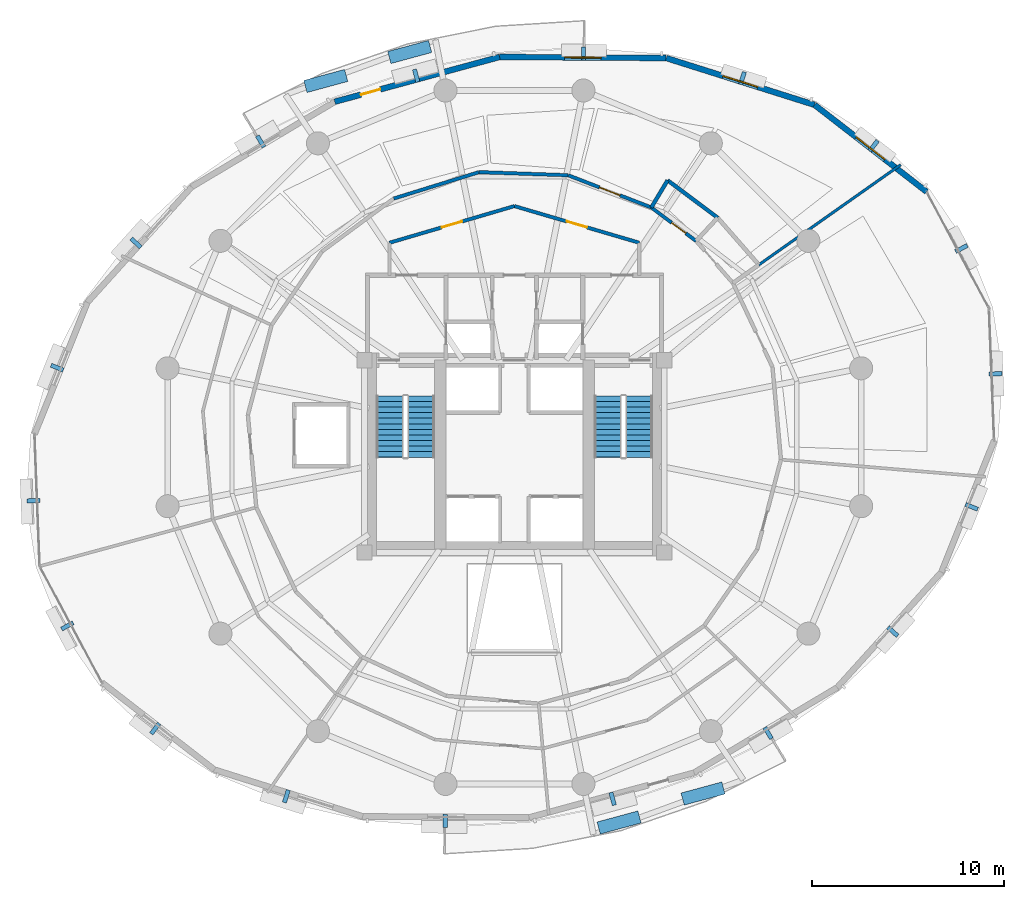
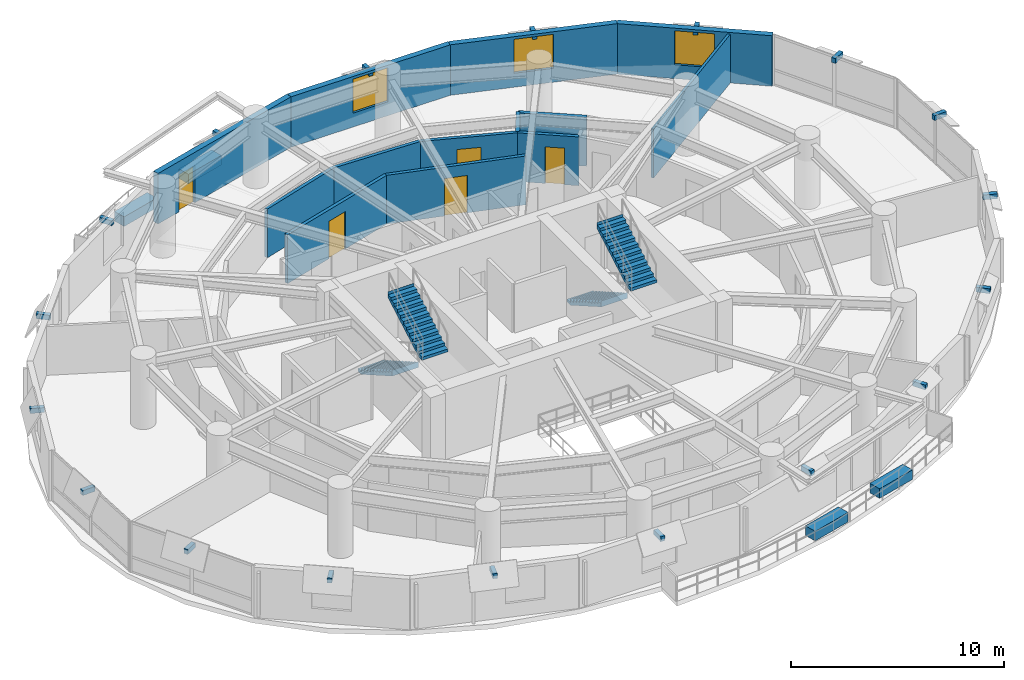
# One storey, part 12 of 15: 22 discrete accessories, 13 walls, 5 doors, 4 stair flights, 3 windows, 8 openings, 2 elements without a shape of their own.
"""IFC4 building model written with IfcOpenShell, lengths in metres."""

import ifcopenshell
import ifcopenshell.guid

model = None  # the IFC model being written
_history = None  # IfcOwnerHistory: only IFC2X3 demands one
_inside = {}  # id of a spatial element -> (the spatial element, [elements in it])
_under = {}  # id of a project, library or spatial element -> (it, [spatial elements below it])
_declared = {}  # id of a project -> (the project, [libraries it declares])
_typed = {}  # id of a type object -> (the type object, [elements of that type])
_made_of = {}  # id of a material, layer set ... -> (it, [elements and type objects made of it])


def new_model(schema):
    """Start an empty IFC model of exactly this schema.

    Asked for "IFC4X3", IfcOpenShell would pick the latest addendum, in which some entities
    have other attributes; the version numbers below select the first issue.
    IFC2X3 requires an IfcOwnerHistory on every rooted entity: one is made here for all.
    """
    global model, _history
    if schema == "IFC4X3":
        model = ifcopenshell.file(schema_version=(4, 3, 0, 0))
    else:
        model = ifcopenshell.file(schema=schema)
    _inside.clear()
    _under.clear()
    _declared.clear()
    _typed.clear()
    _made_of.clear()
    _history = None
    if model.schema == "IFC2X3":
        org = make("IfcOrganization", Name="unknown")
        user = make(
            "IfcPersonAndOrganization",
            ThePerson=make("IfcPerson", FamilyName="unknown"),
            TheOrganization=org,
        )
        app = make(
            "IfcApplication",
            ApplicationDeveloper=org,
            Version="unknown",
            ApplicationFullName="unknown",
            ApplicationIdentifier="unknown",
        )
        _history = make(
            "IfcOwnerHistory",
            OwningUser=user,
            OwningApplication=app,
            ChangeAction="ADDED",
            CreationDate=0,
        )
    return model


def make(cls, **values):
    """One entity of the class cls with the attributes given. An attribute that is None is left unset."""
    return model.create_entity(
        cls, **{name: value for name, value in values.items() if value is not None}
    )


def rooted(cls, **values):
    """An entity with a GlobalId (a new one), such as an element, a storey or a relation."""
    return make(cls, GlobalId=ifcopenshell.guid.new(), OwnerHistory=_history, **values)


def si_unit(unit_type, name, prefix=None):
    """IfcSIUnit, for example si_unit("LENGTHUNIT", "METRE", prefix="MILLI")."""
    return make("IfcSIUnit", UnitType=unit_type, Prefix=prefix, Name=name)


def assignment(units):
    """IfcUnitAssignment: the units of a project."""
    return None if units is None else make("IfcUnitAssignment", Units=units)


def point(xyz):
    """IfcCartesianPoint."""
    return None if xyz is None else make("IfcCartesianPoint", Coordinates=xyz)


def direction(xyz):
    """IfcDirection."""
    return None if xyz is None else make("IfcDirection", DirectionRatios=xyz)


def frame(location, z_axis=None, x_axis=None):
    """IfcAxis2Placement3D, a coordinate frame: its origin and axes. An axis left out is left unset."""
    return make(
        "IfcAxis2Placement3D",
        Location=point(location),
        Axis=direction(z_axis),
        RefDirection=direction(x_axis),
    )


def frame_2d(location, x_axis=None):
    """IfcAxis2Placement2D, a coordinate frame in the plane: its origin and x axis."""
    return make(
        "IfcAxis2Placement2D", Location=point(location), RefDirection=direction(x_axis)
    )


def origin():
    """The frame at (0, 0, 0) with its axes left unset."""
    return frame((0.0, 0.0, 0.0))


def origin_2d():
    """The frame at (0, 0) in the plane with its x axis left unset."""
    return frame_2d((0.0, 0.0))


def place(relative_to, where):
    """IfcLocalPlacement: puts the frame where relative to a parent placement (None: the world)."""
    return make(
        "IfcLocalPlacement", PlacementRelTo=relative_to, RelativePlacement=where
    )


def context(
    kind, dimensions, precision=None, world=None, true_north=None, identifier=None
):
    """IfcGeometricRepresentationContext, for example the 3D "Model" context."""
    return make(
        "IfcGeometricRepresentationContext",
        ContextIdentifier=identifier,
        ContextType=kind,
        CoordinateSpaceDimension=dimensions,
        Precision=precision,
        WorldCoordinateSystem=world,
        TrueNorth=true_north,
    )


def subcontext(parent, identifier, kind, view, scale=None):
    """IfcGeometricRepresentationSubContext, for example "Body" below "Model"."""
    return make(
        "IfcGeometricRepresentationSubContext",
        ContextIdentifier=identifier,
        ContextType=kind,
        ParentContext=parent,
        TargetScale=scale,
        TargetView=view,
    )


def project(units=None, contexts=None):
    """IfcProject with its units and contexts."""
    return rooted(
        "IfcProject",
        Name="project",
        RepresentationContexts=contexts,
        UnitsInContext=assignment(units),
    )


def spatial(cls, under=None, at=None, **own):
    """A site, building, storey or space (cls), placed at a placement, below another one or the project."""
    s = rooted(cls, ObjectPlacement=at, **own)
    if under is not None:
        _under.setdefault(under.id(), (under, []))[1].append(s)
    return s


def polyline(points):
    """IfcPolyline through the points."""
    return make("IfcPolyline", Points=[point(p) for p in points])


def profile(cls, at=None, kind="AREA", **sizes):
    """A parametric profile (cls). Its sizes go by their IFC names, for example OverallWidth=200.0."""
    return make(cls, ProfileType=kind, Position=at, **sizes)


def rectangle(**sizes):
    """IfcRectangleProfileDef."""
    return profile("IfcRectangleProfileDef", **sizes)


def outline(outer, holes=None, kind="AREA"):
    """IfcArbitraryClosedProfileDef: a profile drawn as a closed curve; with holes, ...WithVoids."""
    if holes is None:
        return make("IfcArbitraryClosedProfileDef", ProfileType=kind, OuterCurve=outer)
    return make(
        "IfcArbitraryProfileDefWithVoids",
        ProfileType=kind,
        OuterCurve=outer,
        InnerCurves=holes,
    )


def extrude(swept, where, along, depth):
    """IfcExtrudedAreaSolid: the profile swept, set in the frame where, extruded along a direction by depth."""
    return make(
        "IfcExtrudedAreaSolid",
        SweptArea=swept,
        Position=where,
        ExtrudedDirection=direction(along),
        Depth=depth,
    )


def shape(context_of_items, identifier, shape_type, items):
    """IfcShapeRepresentation: the items that make up one representation, for example the "Body"."""
    return make(
        "IfcShapeRepresentation",
        ContextOfItems=context_of_items,
        RepresentationIdentifier=identifier,
        RepresentationType=shape_type,
        Items=items,
    )


def material(Name=None, Category=None):
    """IfcMaterial."""
    return make("IfcMaterial", Name=Name, Category=Category)


def layer(
    of_material, thickness, ventilated=None, Name=None, Category=None, Priority=None
):
    """IfcMaterialLayer: one layer of a wall or slab, of a material (None: an air gap)."""
    return make(
        "IfcMaterialLayer",
        Material=of_material,
        LayerThickness=thickness,
        IsVentilated=ventilated,
        Name=Name,
        Category=Category,
        Priority=Priority,
    )


def layer_set(layers, Name=None):
    """IfcMaterialLayerSet."""
    return make("IfcMaterialLayerSet", MaterialLayers=layers, LayerSetName=Name)


def made_of(thing, what):
    """Note that an element or type object is made of a material, layer set ...; save() writes the relation."""
    if what is not None:
        _made_of.setdefault(what.id(), (what, []))[1].append(thing)
    return thing


def type_object(cls, material=None, **own):
    """A type object (cls), such as IfcWallType, which elements share."""
    return made_of(rooted(cls, **own), material)


def element(
    cls,
    number,
    at=None,
    inside=None,
    cuts=None,
    type_object=None,
    material=None,
    context=None,
    identifier="Body",
    shape_type=None,
    held_by="IfcProductDefinitionShape",
    body=None,
    shapes=None,
    **own,
):
    """One element of the class cls, such as IfcWall. Its Tag is "e" and its number.

    at: its placement. inside: the storey or other place that contains it. cuts: it is an
    opening in that element (IfcRelVoidsElement). A single representation is given by context,
    identifier, shape_type and body (its items); several are given by shapes. held_by: the class
    of the entity that holds the representations. save() writes the other relations.
    """
    e = rooted(cls, Tag="e%d" % number, ObjectPlacement=at, **own)
    if body is not None:
        shapes = [shape(context, identifier, shape_type, body)]
    if shapes is not None:
        e.Representation = make(held_by, Representations=shapes)
    if inside is not None:
        _inside.setdefault(inside.id(), (inside, []))[1].append(e)
    if cuts is not None:
        rooted(
            "IfcRelVoidsElement", RelatingBuildingElement=cuts, RelatedOpeningElement=e
        )
    if type_object is not None:
        _typed.setdefault(type_object.id(), (type_object, []))[1].append(e)
    return made_of(e, material)


def fill(opening, filler):
    """IfcRelFillsElement: the door or window that sits in an opening."""
    return rooted(
        "IfcRelFillsElement",
        RelatingOpeningElement=opening,
        RelatedBuildingElement=filler,
    )


def aggregate(whole, parts):
    """IfcRelAggregates: a whole, such as a stair, and the parts it consists of."""
    return rooted("IfcRelAggregates", RelatingObject=whole, RelatedObjects=parts)


def save(model, path):
    """Write the relations noted so far, then the file.

    IfcRelAggregates (storeys below a building ...), IfcRelContainedInSpatialStructure (elements
    in a storey), IfcRelDefinesByType, IfcRelAssociatesMaterial and IfcRelDeclares: one each for
    every whole, place, type object, material and project.
    """
    for whole, parts in _under.values():
        aggregate(whole, parts)
    for where, things in _inside.values():
        rooted(
            "IfcRelContainedInSpatialStructure",
            RelatedElements=things,
            RelatingStructure=where,
        )
    for kind, things in _typed.values():
        rooted("IfcRelDefinesByType", RelatedObjects=things, RelatingType=kind)
    for what, things in _made_of.values():
        rooted("IfcRelAssociatesMaterial", RelatedObjects=things, RelatingMaterial=what)
    for by, libraries in _declared.values():
        rooted("IfcRelDeclares", RelatingContext=by, RelatedDefinitions=libraries)
    model.write(path)


model = new_model("IFC4")

# Units and contexts
model_context = context("Model", 3, precision=1e-05, world=origin(), true_north=direction((0.0, 1.0)))
body_context = subcontext(model_context, "Body", "Model", "MODEL_VIEW")
ifc_project = project(units=[si_unit("LENGTHUNIT", "METRE"), si_unit("AREAUNIT", "SQUARE_METRE"), si_unit("VOLUMEUNIT", "CUBIC_METRE"), si_unit("PLANEANGLEUNIT", "RADIAN"), si_unit("MASSUNIT", "GRAM", prefix="KILO"), si_unit("THERMODYNAMICTEMPERATUREUNIT", "KELVIN"), si_unit("POWERUNIT", "WATT")], contexts=[model_context])

# Site, building, storey
site_placement = place(None, origin())
site = spatial("IfcSite", under=ifc_project, at=site_placement, CompositionType="ELEMENT")
building_placement = place(site_placement, origin())
building = spatial("IfcBuilding", under=site, at=building_placement, Name="Ocrelia Relay Tower", CompositionType="ELEMENT")
storey_placement = place(building_placement, frame((0.0, 0.0, 97.800048828125)))
storey = spatial("IfcBuildingStorey", under=building, at=storey_placement, Name="L22", CompositionType="ELEMENT", Elevation=97.800048828125)

# Wall, opening, door
ifc_material_1 = material(Name="Gypsum Fireboard Partition EI60", Category="gypsum")
ifc_layer_1 = layer(ifc_material_1, 0.179931640625, Name="Gypsum Fireboard Partition EI60")
ifc_layer_set_1 = layer_set([ifc_layer_1], Name="Gypsum Fireboard Partition EI60")
wall_type_1 = type_object("IfcWallType", Name="W-CORR-EI60-180", PredefinedType="PARTITIONING", material=ifc_layer_set_1)
wall_1_placement = place(storey_placement, frame((27.5, 36.122802734375, 0.0), z_axis=(0.0, 0.0, 1.0), x_axis=(0.959546654541, 0.281549671923, 0.0)))
wall_1 = element("IfcWall", 1, at=wall_1_placement, inside=storey, type_object=wall_type_1, Name="L22 North Smoke Lobby W Screen Wall", PredefinedType="PARTITIONING", context=body_context, shape_type="SweptSolid", body=[
    extrude(rectangle(XDim=6.77392578125, YDim=0.179931640625, at=frame_2d((3.386962890625, 0.0))), origin(), (0.0, 0.0, 1.0), 2.800048828125),
])
opening_1_placement = place(wall_1_placement, frame((2.8369140625, 0.0, 0.0)))
opening_1 = element("IfcOpeningElement", 2, at=opening_1_placement, cuts=wall_1, Name="Opening D-FD60", PredefinedType="OPENING", context=body_context, shape_type="SweptSolid", body=[
    extrude(rectangle(XDim=1.10009765625, YDim=2.14990234375, at=frame_2d((0.550048828125, 1.074951171875))), frame((0.0, 0.10009765625, 0.0), z_axis=(0.0, -1.0, 0.0), x_axis=(1.0, 0.0, 0.0)), (0.0, 0.0, 1.0), 0.199951171875),
])
ifc_material_2 = material(Name="Timber-core 60-min acoustic fire door", Category="wood")
door_type_1 = type_object("IfcDoorType", Name="DR-LOBBY-FD60-1100", OperationType="NOTDEFINED", PredefinedType="DOOR", material=ifc_material_2)
door_1_placement = place(opening_1_placement, origin())
door_1 = element("IfcDoor", 3, at=door_1_placement, inside=storey, type_object=door_type_1, Name="L22 North Smoke Lobby W Fire Door", OperationType="SINGLE_SWING_RIGHT", OverallHeight=2.14990234375, OverallWidth=1.10009765625, PredefinedType="DOOR", context=body_context, shape_type="SweptSolid", body=[
    extrude(rectangle(XDim=1.10009765625, YDim=2.14990234375, at=frame_2d((0.550048828125, 1.074951171875))), frame((0.0, 0.02490234375, 0.0), z_axis=(0.0, -1.0, 0.0), x_axis=(1.0, 0.0, 0.0)), (0.0, 0.0, 1.0), 0.050048828125),
])
fill(opening_1, door_1)

wall_2_placement = place(storey_placement, frame((34.0, 38.030029296875, 0.0), z_axis=(0.0, 0.0, 1.0), x_axis=(0.959546654541, -0.281549671923, 0.0)))
wall_2 = element("IfcWall", 4, at=wall_2_placement, inside=storey, type_object=wall_type_1, Name="L22 North Smoke Lobby E Screen Wall", PredefinedType="PARTITIONING", context=body_context, shape_type="SweptSolid", body=[
    extrude(rectangle(XDim=6.77392578125, YDim=0.179931640625, at=frame_2d((3.386962890625, 0.0))), origin(), (0.0, 0.0, 1.0), 2.800048828125),
])
opening_2_placement = place(wall_2_placement, frame((2.8369140625, 0.0, 0.0)))
opening_2 = element("IfcOpeningElement", 5, at=opening_2_placement, cuts=wall_2, Name="Opening D-FD60", PredefinedType="OPENING", context=body_context, shape_type="SweptSolid", body=[
    extrude(rectangle(XDim=1.10009765625, YDim=2.14990234375, at=frame_2d((0.550048828125, 1.074951171875))), frame((0.0, 0.10009765625, 0.0), z_axis=(0.0, -1.0, 0.0), x_axis=(1.0, 0.0, 0.0)), (0.0, 0.0, 1.0), 0.199951171875),
])
door_2_placement = place(opening_2_placement, origin())
door_2 = element("IfcDoor", 6, at=door_2_placement, inside=storey, type_object=door_type_1, Name="L22 North Smoke Lobby E Fire Door", OperationType="SINGLE_SWING_LEFT", OverallHeight=2.14990234375, OverallWidth=1.10009765625, PredefinedType="DOOR", context=body_context, shape_type="SweptSolid", body=[
    extrude(rectangle(XDim=1.10009765625, YDim=2.14990234375, at=frame_2d((0.550048828125, 1.074951171875))), frame((0.0, 0.02490234375, 0.0), z_axis=(0.0, -1.0, 0.0), x_axis=(1.0, 0.0, 0.0)), (0.0, 0.0, 1.0), 0.050048828125),
])
fill(opening_2, door_2)

wall_3_placement = place(storey_placement, frame((43.457763671875, 36.21337890625, 0.0), z_axis=(0.0, 0.0, 1.0), x_axis=(-0.800684054085, 0.599086843066, 0.0)))
wall_3 = element("IfcWall", 7, at=wall_3_placement, inside=storey, type_object=wall_type_1, Name="L22 Accessible Toilet Corridor Wall", PredefinedType="PARTITIONING", context=body_context, shape_type="SweptSolid", body=[
    extrude(rectangle(XDim=2.91015625, YDim=0.179931640625, at=frame_2d((1.455078125, 0.0))), origin(), (0.0, 0.0, 1.0), 2.800048828125),
])
opening_3_placement = place(wall_3_placement, frame((0.6689453125, 0.0, 0.0)))
opening_3 = element("IfcOpeningElement", 8, at=opening_3_placement, cuts=wall_3, Name="Opening D-WC92", PredefinedType="OPENING", context=body_context, shape_type="SweptSolid", body=[
    extrude(rectangle(XDim=0.919921875, YDim=2.10009765625, at=frame_2d((0.4599609375, 1.050048828125))), frame((0.0, 0.10009765625, 0.0), z_axis=(0.0, -1.0, 0.0), x_axis=(1.0, 0.0, 0.0)), (0.0, 0.0, 1.0), 0.199951171875),
])
ifc_material_3 = material(Name="Laminate washroom door", Category="wood")
door_type_2 = type_object("IfcDoorType", Name="DR-WC-920", OperationType="NOTDEFINED", PredefinedType="DOOR", material=ifc_material_3)
door_3_placement = place(opening_3_placement, origin())
door_3 = element("IfcDoor", 9, at=door_3_placement, inside=storey, type_object=door_type_2, Name="L22 Accessible Toilet Door", OperationType="SINGLE_SWING_LEFT", OverallHeight=2.10009765625, OverallWidth=0.919921875, PredefinedType="DOOR", context=body_context, shape_type="SweptSolid", body=[
    extrude(rectangle(XDim=0.919921875, YDim=2.10009765625, at=frame_2d((0.4599609375, 1.050048828125))), frame((0.0, 0.02490234375, 0.0), z_axis=(0.0, -1.0, 0.0), x_axis=(1.0, 0.0, 0.0)), (0.0, 0.0, 1.0), 0.050048828125),
])
fill(opening_3, door_3)

wall_4_placement = place(storey_placement, frame((41.127685546875, 37.956787109375, 0.0), z_axis=(0.0, 0.0, 1.0), x_axis=(-0.932324045504, 0.361623940267, 0.0)))
wall_4 = element("IfcWall", 10, at=wall_4_placement, inside=storey, type_object=wall_type_1, Name="L22 Optical Switching Hall A Corridor Partition 1", PredefinedType="PARTITIONING", context=body_context, shape_type="SweptSolid", body=[
    extrude(rectangle(XDim=4.642822265625, YDim=0.179931640625, at=frame_2d((2.3212890625, 0.0))), origin(), (0.0, 0.0, 1.0), 2.800048828125),
])
opening_4_placement = place(wall_4_placement, frame((1.746337890625, 0.0, 0.0)))
opening_4 = element("IfcOpeningElement", 11, at=opening_4_placement, cuts=wall_4, Name="Opening D-RM115", PredefinedType="OPENING", context=body_context, shape_type="SweptSolid", body=[
    extrude(rectangle(XDim=1.14990234375, YDim=2.14990234375, at=frame_2d((0.574951171875, 1.074951171875))), frame((0.0, 0.10009765625, 0.0), z_axis=(0.0, -1.0, 0.0), x_axis=(1.0, 0.0, 0.0)), (0.0, 0.0, 1.0), 0.199951171875),
])
ifc_material_4 = material(Name="Wide acoustic oak veneer fire door", Category="wood")
door_type_3 = type_object("IfcDoorType", Name="DR-ROOM-1150", OperationType="NOTDEFINED", PredefinedType="DOOR", material=ifc_material_4)
door_4_placement = place(opening_4_placement, origin())
door_4 = element("IfcDoor", 12, at=door_4_placement, inside=storey, type_object=door_type_3, Name="L22 Optical Switching Hall A Entrance Door", OperationType="SINGLE_SWING_RIGHT", OverallHeight=2.14990234375, OverallWidth=1.14990234375, PredefinedType="DOOR", context=body_context, shape_type="SweptSolid", body=[
    extrude(rectangle(XDim=1.14990234375, YDim=2.14990234375, at=frame_2d((0.574951171875, 1.074951171875))), frame((0.0, 0.02490234375, 0.0), z_axis=(0.0, -1.0, 0.0), x_axis=(1.0, 0.0, 0.0)), (0.0, 0.0, 1.0), 0.050048828125),
])
fill(opening_4, door_4)

# Walls
wall_5_placement = place(storey_placement, frame((36.799072265625, 39.6357421875, 0.0), z_axis=(0.0, 0.0, 1.0), x_axis=(-0.999392117738, 0.034862515735, 0.0)))
element("IfcWall", 13, at=wall_5_placement, inside=storey, type_object=wall_type_1, Name="L22 Optical Switching Hall A Corridor Partition 2", PredefinedType="PARTITIONING", context=body_context, shape_type="SweptSolid", body=[
    extrude(rectangle(XDim=4.64306640625, YDim=0.179931640625, at=frame_2d((2.321533203125, 0.0))), origin(), (0.0, 0.0, 1.0), 2.800048828125),
])
wall_6_placement = place(storey_placement, frame((32.158935546875, 39.797607421875, 0.0), z_axis=(0.0, 0.0, 1.0), x_axis=(-0.955283061379, -0.295692868773, 0.0)))
element("IfcWall", 14, at=wall_6_placement, inside=storey, type_object=wall_type_1, Name="L22 Optical Switching Hall A Corridor Partition 3", PredefinedType="PARTITIONING", context=body_context, shape_type="SweptSolid", body=[
    extrude(rectangle(XDim=4.642578125, YDim=0.179931640625, at=frame_2d((2.3212890625, 0.0))), origin(), (0.0, 0.0, 1.0), 2.800048828125),
])

# Wall, opening, window
ifc_material_5 = material(Name="Precast concrete C40/50 with oxide terracotta", Category="masonry")
ifc_layer_2 = layer(ifc_material_5, 0.300048828125, Name="Precast concrete C40/50 with oxide terracotta")
ifc_layer_set_2 = layer_set([ifc_layer_2], Name="Precast concrete C40/50 with oxide terracotta")
wall_type_2 = type_object("IfcWallType", Name="W-EXT-TERR-300", PredefinedType="SOLIDWALL", material=ifc_layer_set_2)
wall_7_placement = place(storey_placement, frame((55.45703125, 38.7763671875, 0.0), z_axis=(0.0, 0.0, 1.0), x_axis=(-0.79036781861, 0.61263260712, 0.0)))
wall_7 = element("IfcWall", 15, at=wall_7_placement, inside=storey, type_object=wall_type_2, Name="L22 Oxide Terracotta Facade Wall 02", PredefinedType="SOLIDWALL", context=body_context, shape_type="SweptSolid", body=[
    extrude(rectangle(XDim=7.38330078125, YDim=0.300048828125, at=frame_2d((3.691650390625, 0.0))), origin(), (0.0, 0.0, 1.0), 2.89990234375),
])
opening_5_placement = place(wall_7_placement, frame((2.741943359375, 0.0, 0.800048828125)))
opening_5 = element("IfcOpeningElement", 16, at=opening_5_placement, cuts=wall_7, Name="Opening W-06", PredefinedType="OPENING", context=body_context, shape_type="SweptSolid", body=[
    extrude(rectangle(XDim=1.89990234375, YDim=1.949951171875, at=frame_2d((0.949951171875, 0.97509765625))), frame((0.0, 0.16015625, 0.0), z_axis=(0.0, -1.0, 0.0), x_axis=(1.0, 0.0, 0.0)), (0.0, 0.0, 1.0), 0.320068359375),
])
ifc_material_6 = material(Name="Clear double-glazed low-E glass", Category="glass")
window_type = type_object("IfcWindowType", Name="WIN-Z2-1900x2100", PartitioningType="DOUBLE_PANEL_VERTICAL", PredefinedType="WINDOW", material=ifc_material_6)
window_1_placement = place(opening_5_placement, origin())
window_1 = element("IfcWindow", 17, at=window_1_placement, inside=storey, type_object=window_type, Name="L22 Facade Module Window 02", OverallHeight=1.949951171875, OverallWidth=1.89990234375, PartitioningType="SINGLE_PANEL", PredefinedType="WINDOW", context=body_context, shape_type="SweptSolid", body=[
    extrude(rectangle(XDim=1.89990234375, YDim=1.949951171875, at=frame_2d((0.949951171875, 0.97509765625))), frame((0.0, 0.030029296875, 0.0), z_axis=(0.0, -1.0, 0.0), x_axis=(1.0, 0.0, 0.0)), (0.0, 0.0, 1.0), 0.06005859375),
])
fill(opening_5, window_1)

wall_8_placement = place(storey_placement, frame((49.62158203125, 43.299560546875, 0.0), z_axis=(0.0, 0.0, 1.0), x_axis=(-0.953619577743, 0.30101445305, 0.0)))
wall_8 = element("IfcWall", 18, at=wall_8_placement, inside=storey, type_object=wall_type_2, Name="L22 Oxide Terracotta Facade Wall 03", PredefinedType="SOLIDWALL", context=body_context, shape_type="SweptSolid", body=[
    extrude(rectangle(XDim=8.09521484375, YDim=0.300048828125, at=frame_2d((4.047607421875, 0.0))), origin(), (0.0, 0.0, 1.0), 2.89990234375),
])
opening_6_placement = place(wall_8_placement, frame((3.097900390625, 0.0, 0.800048828125)))
opening_6 = element("IfcOpeningElement", 19, at=opening_6_placement, cuts=wall_8, Name="Opening W-06", PredefinedType="OPENING", context=body_context, shape_type="SweptSolid", body=[
    extrude(rectangle(XDim=1.89990234375, YDim=1.949951171875, at=frame_2d((0.949951171875, 0.97509765625))), frame((0.0, 0.16015625, 0.0), z_axis=(0.0, -1.0, 0.0), x_axis=(1.0, 0.0, 0.0)), (0.0, 0.0, 1.0), 0.320068359375),
])
window_2_placement = place(opening_6_placement, origin())
window_2 = element("IfcWindow", 20, at=window_2_placement, inside=storey, type_object=window_type, Name="L22 Facade Module Window 03", OverallHeight=1.949951171875, OverallWidth=1.89990234375, PartitioningType="SINGLE_PANEL", PredefinedType="WINDOW", context=body_context, shape_type="SweptSolid", body=[
    extrude(rectangle(XDim=1.89990234375, YDim=1.949951171875, at=frame_2d((0.949951171875, 0.97509765625))), frame((0.0, 0.030029296875, 0.0), z_axis=(0.0, -1.0, 0.0), x_axis=(1.0, 0.0, 0.0)), (0.0, 0.0, 1.0), 0.06005859375),
])
fill(opening_6, window_2)

wall_9_placement = place(storey_placement, frame((41.90185546875, 45.736328125, 0.0), z_axis=(0.0, 0.0, 1.0), x_axis=(-0.999979041109, 0.006474360417, 0.0)))
wall_9 = element("IfcWall", 21, at=wall_9_placement, inside=storey, type_object=wall_type_2, Name="L22 Oxide Terracotta Facade Wall 04", PredefinedType="SOLIDWALL", context=body_context, shape_type="SweptSolid", body=[
    extrude(rectangle(XDim=8.673095703125, YDim=0.300048828125, at=frame_2d((4.33642578125, 0.0))), origin(), (0.0, 0.0, 1.0), 2.89990234375),
])
opening_7_placement = place(wall_9_placement, frame((3.385986328125, 0.0, 0.800048828125)))
opening_7 = element("IfcOpeningElement", 22, at=opening_7_placement, cuts=wall_9, Name="Opening W-06", PredefinedType="OPENING", context=body_context, shape_type="SweptSolid", body=[
    extrude(rectangle(XDim=1.89990234375, YDim=1.949951171875, at=frame_2d((0.949951171875, 0.97509765625))), frame((0.0, 0.16015625, 0.0), z_axis=(0.0, -1.0, 0.0), x_axis=(1.0, 0.0, 0.0)), (0.0, 0.0, 1.0), 0.320068359375),
])
window_3_placement = place(opening_7_placement, origin())
window_3 = element("IfcWindow", 23, at=window_3_placement, inside=storey, type_object=window_type, Name="L22 Facade Module Window 04", OverallHeight=1.949951171875, OverallWidth=1.89990234375, PartitioningType="SINGLE_PANEL", PredefinedType="WINDOW", context=body_context, shape_type="SweptSolid", body=[
    extrude(rectangle(XDim=1.89990234375, YDim=1.949951171875, at=frame_2d((0.949951171875, 0.97509765625))), frame((0.0, 0.030029296875, 0.0), z_axis=(0.0, -1.0, 0.0), x_axis=(1.0, 0.0, 0.0)), (0.0, 0.0, 1.0), 0.06005859375),
])
fill(opening_7, window_3)

# Wall, opening, door
wall_10_placement = place(storey_placement, frame((33.22900390625, 45.79248046875, 0.0), z_axis=(0.0, 0.0, 1.0), x_axis=(-0.965015591798, -0.26219250101, 0.0)))
wall_10 = element("IfcWall", 24, at=wall_10_placement, inside=storey, type_object=wall_type_2, Name="L22 Oxide Terracotta Facade Wall 05", PredefinedType="SOLIDWALL", context=body_context, shape_type="SweptSolid", body=[
    extrude(rectangle(XDim=8.890625, YDim=0.300048828125, at=frame_2d((4.4453125, 0.0))), origin(), (0.0, 0.0, 1.0), 2.89990234375),
])
opening_8_placement = place(wall_10_placement, frame((6.429931640625, 0.0, 0.0)))
opening_8 = element("IfcOpeningElement", 25, at=opening_8_placement, cuts=wall_10, Name="Opening DB-105", PredefinedType="OPENING", context=body_context, shape_type="SweptSolid", body=[
    extrude(rectangle(XDim=1.050048828125, YDim=2.14990234375, at=frame_2d((0.52490234375, 1.074951171875))), frame((0.0, 0.16015625, 0.0), z_axis=(0.0, -1.0, 0.0), x_axis=(1.0, 0.0, 0.0)), (0.0, 0.0, 1.0), 0.320068359375),
])
ifc_material_7 = material(Name="Thermally broken aluminium and clear glass", Category="aluminium")
door_type_4 = type_object("IfcDoorType", Name="DR-BALC-1050", OperationType="NOTDEFINED", PredefinedType="DOOR", material=ifc_material_7)
door_5_placement = place(opening_8_placement, origin())
door_5 = element("IfcDoor", 26, at=door_5_placement, inside=storey, type_object=door_type_4, Name="L22 Planted Loggia Balcony Door B1", OperationType="SINGLE_SWING_LEFT", OverallHeight=2.14990234375, OverallWidth=1.050048828125, PredefinedType="DOOR", context=body_context, shape_type="SweptSolid", body=[
    extrude(rectangle(XDim=1.050048828125, YDim=2.14990234375, at=frame_2d((0.52490234375, 1.074951171875))), frame((0.0, 0.02490234375, 0.0), z_axis=(0.0, -1.0, 0.0), x_axis=(1.0, 0.0, 0.0)), (0.0, 0.0, 1.0), 0.050048828125),
])
fill(opening_8, door_5)

# Walls
ifc_material_8 = material(Name="Acoustic Fireboard Partition EI60", Category="gypsum")
ifc_layer_3 = layer(ifc_material_8, 0.139892578125, Name="Acoustic Fireboard Partition EI60")
ifc_layer_set_3 = layer_set([ifc_layer_3], Name="Acoustic Fireboard Partition EI60")
wall_type_3 = type_object("IfcWallType", Name="W-PART-140", PredefinedType="PARTITIONING", material=ifc_layer_set_3)
wall_11_placement = place(storey_placement, frame((46.722900390625, 34.97509765625, 0.0), z_axis=(0.0, 0.0, 1.0), x_axis=(0.817152059175, 0.576422164898, 0.0)))
element("IfcWall", 27, at=wall_11_placement, inside=storey, type_object=wall_type_3, Name="L22 Optical Switching Hall A Radial Partition", PredefinedType="PARTITIONING", context=body_context, shape_type="SweptSolid", body=[
    extrude(rectangle(XDim=9.0341796875, YDim=0.139892578125, at=frame_2d((4.51708984375, 0.0))), origin(), (0.0, 0.0, 1.0), 2.800048828125),
])
ifc_material_9 = material(Name="Moisture-Resistant Fireboard Chase Wall EI60", Category="gypsum")
ifc_layer_4 = layer(ifc_material_9, 0.199951171875, Name="Moisture-Resistant Fireboard Chase Wall EI60")
ifc_layer_set_4 = layer_set([ifc_layer_4], Name="Moisture-Resistant Fireboard Chase Wall EI60")
wall_type_4 = type_object("IfcWallType", Name="W-PLUMB-200", PredefinedType="PLUMBINGWALL", material=ifc_layer_set_4)
wall_12_placement = place(storey_placement, frame((41.127685546875, 37.956787109375, 0.0), z_axis=(0.0, 0.0, 1.0), x_axis=(0.511991057983, 0.858990777916, 0.0)))
element("IfcWall", 28, at=wall_12_placement, inside=storey, type_object=wall_type_4, Name="L22 Accessible Toilet Plumbing Radial Wall", PredefinedType="PLUMBINGWALL", context=body_context, shape_type="SweptSolid", body=[
    extrude(rectangle(XDim=1.64990234375, YDim=0.199951171875, at=frame_2d((0.824951171875, 0.0))), origin(), (0.0, 0.0, 1.0), 2.800048828125),
])
wall_13_placement = place(storey_placement, frame((44.578857421875, 37.42431640625, 0.0), z_axis=(0.0, 0.0, 1.0), x_axis=(-0.800755417195, 0.598991453889, 0.0)))
element("IfcWall", 29, at=wall_13_placement, inside=storey, type_object=wall_type_4, Name="L22 Accessible Toilet Back Plumbing Wall", PredefinedType="PLUMBINGWALL", context=body_context, shape_type="SweptSolid", body=[
    extrude(rectangle(XDim=3.2548828125, YDim=0.199951171875, at=frame_2d((1.62744140625, 0.0))), origin(), (0.0, 0.0, 1.0), 2.800048828125),
])

# Stair, stair flights
ifc_material_10 = material(Name="Concrete C50/60", Category="concrete")
stair_type = type_object("IfcStairType", Name="ST-DL-1420-R167", PredefinedType="HALF_TURN_STAIR", material=ifc_material_10)
stair_1_placement = place(storey_placement, origin())
stair_1 = element("IfcStair", 30, at=stair_1_placement, inside=storey, type_object=stair_type, Name="L22 West Core Exit Stair ST1", PredefinedType="HALF_TURN_STAIR")
stair_flight_type = type_object("IfcStairFlightType", Name="STF-DL-1420-R167", PredefinedType="STRAIGHT", material=ifc_material_10)
stair_flight_1_placement = place(storey_placement, frame((27.52001953125, 28.14990234375, 0.0), z_axis=(0.0, 0.0, 1.0), x_axis=(0.0, -1.0, 0.0)))
stair_flight_1 = element("IfcStairFlight", 31, at=stair_flight_1_placement, type_object=stair_flight_type, Name="ST1 flight 1", NumberOfRisers=12, NumberOfTreads=11, PredefinedType="STRAIGHT", RiserHeight=0.166666667, TreadLength=0.29, context=body_context, shape_type="SweptSolid", body=[
    extrude(outline(polyline([(-0.008056640625, 0.0), (-0.008056640625, 0.166748046875), (0.0, 0.166748046875), (0.2900390625, 0.166748046875), (0.2900390625, 0.333251953125), (0.580078125, 0.333251953125), (0.580078125, 0.5), (0.8701171875, 0.5), (0.8701171875, 0.666748046875), (1.159912109375, 0.666748046875), (1.159912109375, 0.833251953125), (1.449951171875, 0.833251953125), (1.449951171875, 1.0), (1.739990234375, 1.0), (1.739990234375, 1.166748046875), (2.030029296875, 1.166748046875), (2.030029296875, 1.333251953125), (2.320068359375, 1.333251953125), (2.320068359375, 1.5), (2.610107421875, 1.5), (2.610107421875, 1.666748046875), (2.89990234375, 1.666748046875), (2.89990234375, 1.833251953125), (3.18994140625, 1.833251953125), (3.18994140625, 2.0), (3.197998046875, 2.0), (3.197998046875, 1.660400390625), (0.30078125, 0.0), (-0.008056640625, 0.0)])), frame((0.0, 0.7099609375, 0.0), z_axis=(0.0, -1.0, 0.0), x_axis=(1.0, 0.0, 0.0)), (0.0, 0.0, 1.0), 1.419921875),
])
stair_flight_2_placement = place(storey_placement, frame((29.139892578125, 24.9599609375, 2.0), z_axis=(0.0, 0.0, 1.0), x_axis=(0.0, 1.0, 0.0)))
stair_flight_2 = element("IfcStairFlight", 32, at=stair_flight_2_placement, type_object=stair_flight_type, Name="ST1 flight 2", NumberOfRisers=12, NumberOfTreads=11, PredefinedType="STRAIGHT", RiserHeight=0.166666667, TreadLength=0.29, context=body_context, shape_type="SweptSolid", body=[
    extrude(outline(polyline([(-0.008056640625, 0.0), (-0.008056640625, 0.166748046875), (0.0, 0.166748046875), (0.2900390625, 0.166748046875), (0.2900390625, 0.333251953125), (0.580078125, 0.333251953125), (0.580078125, 0.5), (0.8701171875, 0.5), (0.8701171875, 0.666748046875), (1.159912109375, 0.666748046875), (1.159912109375, 0.833251953125), (1.449951171875, 0.833251953125), (1.449951171875, 1.0), (1.739990234375, 1.0), (1.739990234375, 1.166748046875), (2.030029296875, 1.166748046875), (2.030029296875, 1.333251953125), (2.320068359375, 1.333251953125), (2.320068359375, 1.5), (2.610107421875, 1.5), (2.610107421875, 1.666748046875), (2.89990234375, 1.666748046875), (2.89990234375, 1.833251953125), (3.18994140625, 1.833251953125), (3.18994140625, 2.0), (3.197998046875, 2.0), (3.197998046875, 1.660400390625), (0.30078125, 0.0), (-0.008056640625, 0.0)])), frame((0.0, 0.7099609375, 0.0), z_axis=(0.0, -1.0, 0.0), x_axis=(1.0, 0.0, 0.0)), (0.0, 0.0, 1.0), 1.419921875),
])
aggregate(stair_1, [stair_flight_1, stair_flight_2])

stair_2_placement = place(storey_placement, origin())
stair_2 = element("IfcStair", 33, at=stair_2_placement, inside=storey, type_object=stair_type, Name="L22 East Core Exit Stair ST2", PredefinedType="HALF_TURN_STAIR")
stair_flight_3_placement = place(storey_placement, frame((38.8701171875, 28.14990234375, 0.0), z_axis=(0.0, 0.0, 1.0), x_axis=(0.0, -1.0, 0.0)))
stair_flight_3 = element("IfcStairFlight", 34, at=stair_flight_3_placement, type_object=stair_flight_type, Name="ST2 flight 1", NumberOfRisers=12, NumberOfTreads=11, PredefinedType="STRAIGHT", RiserHeight=0.166666667, TreadLength=0.29, context=body_context, shape_type="SweptSolid", body=[
    extrude(outline(polyline([(-0.008056640625, 0.0), (-0.008056640625, 0.166748046875), (0.0, 0.166748046875), (0.2900390625, 0.166748046875), (0.2900390625, 0.333251953125), (0.580078125, 0.333251953125), (0.580078125, 0.5), (0.8701171875, 0.5), (0.8701171875, 0.666748046875), (1.159912109375, 0.666748046875), (1.159912109375, 0.833251953125), (1.449951171875, 0.833251953125), (1.449951171875, 1.0), (1.739990234375, 1.0), (1.739990234375, 1.166748046875), (2.030029296875, 1.166748046875), (2.030029296875, 1.333251953125), (2.320068359375, 1.333251953125), (2.320068359375, 1.5), (2.610107421875, 1.5), (2.610107421875, 1.666748046875), (2.89990234375, 1.666748046875), (2.89990234375, 1.833251953125), (3.18994140625, 1.833251953125), (3.18994140625, 2.0), (3.197998046875, 2.0), (3.197998046875, 1.660400390625), (0.30078125, 0.0), (-0.008056640625, 0.0)])), frame((0.0, 0.7099609375, 0.0), z_axis=(0.0, -1.0, 0.0), x_axis=(1.0, 0.0, 0.0)), (0.0, 0.0, 1.0), 1.419921875),
])
stair_flight_4_placement = place(storey_placement, frame((40.489990234375, 24.9599609375, 2.0), z_axis=(0.0, 0.0, 1.0), x_axis=(0.0, 1.0, 0.0)))
stair_flight_4 = element("IfcStairFlight", 35, at=stair_flight_4_placement, type_object=stair_flight_type, Name="ST2 flight 2", NumberOfRisers=12, NumberOfTreads=11, PredefinedType="STRAIGHT", RiserHeight=0.166666667, TreadLength=0.29, context=body_context, shape_type="SweptSolid", body=[
    extrude(outline(polyline([(-0.008056640625, 0.0), (-0.008056640625, 0.166748046875), (0.0, 0.166748046875), (0.2900390625, 0.166748046875), (0.2900390625, 0.333251953125), (0.580078125, 0.333251953125), (0.580078125, 0.5), (0.8701171875, 0.5), (0.8701171875, 0.666748046875), (1.159912109375, 0.666748046875), (1.159912109375, 0.833251953125), (1.449951171875, 0.833251953125), (1.449951171875, 1.0), (1.739990234375, 1.0), (1.739990234375, 1.166748046875), (2.030029296875, 1.166748046875), (2.030029296875, 1.333251953125), (2.320068359375, 1.333251953125), (2.320068359375, 1.5), (2.610107421875, 1.5), (2.610107421875, 1.666748046875), (2.89990234375, 1.666748046875), (2.89990234375, 1.833251953125), (3.18994140625, 1.833251953125), (3.18994140625, 2.0), (3.197998046875, 2.0), (3.197998046875, 1.660400390625), (0.30078125, 0.0), (-0.008056640625, 0.0)])), frame((0.0, 0.7099609375, 0.0), z_axis=(0.0, -1.0, 0.0), x_axis=(1.0, 0.0, 0.0)), (0.0, 0.0, 1.0), 1.419921875),
])
aggregate(stair_2, [stair_flight_3, stair_flight_4])

# Discrete accessories
ifc_material_11 = material(Name="Precast concrete C40/50 planter with highland greenery", Category="concrete")
discrete_accessory_type_1 = type_object("IfcDiscreteAccessoryType", Name="ACC-BALC-PLANTER", PredefinedType="USERDEFINED", material=ifc_material_11)
for number, where, z_axis, x_axis, name in (
    (36, (28.552490234375, 46.050537109375, 0.0), (0.0, 0.0, 1.0), (0.965015803717, 0.262191721031, 0.0), "L22 Balcony Terracotta Planter with Greenery B1"),
    (37, (24.183349609375, 44.54248046875, 0.0), (0.0, 0.0, 1.0), (0.965015803717, 0.262191721031, 0.0), "L22 Balcony Terracotta Planter B1-2"),
    (38, (39.447509765625, 5.949462890625, 0.0), (0.0, 0.0, 1.0), (-0.965015803717, -0.262191721031, 0.0), "L22 Balcony Terracotta Planter with Greenery B2"),
    (39, (43.816650390625, 7.45751953125, 0.0), (0.0, 0.0, 1.0), (-0.965015803717, -0.262191721031, 0.0), "L22 Balcony Terracotta Planter B2-2"),
):
    element("IfcDiscreteAccessory", number, at=place(storey_placement, frame(where, z_axis=z_axis, x_axis=x_axis)), inside=storey, type_object=discrete_accessory_type_1, Name=name, ObjectType="PLANTER", PredefinedType="USERDEFINED", context=body_context, shape_type="SweptSolid", body=[
        extrude(rectangle(XDim=2.199951171875, YDim=0.64990234375, at=origin_2d()), origin(), (0.0, 0.0, 1.0), 0.550048828125),
    ])
ifc_material_12 = material(Name="Steel S355", Category="steel")
discrete_accessory_type_2 = type_object("IfcDiscreteAccessoryType", Name="ACC-VISOR-BRACKET", PredefinedType="BRACKET", material=ifc_material_12)
for number, where, z_axis, x_axis, name in (
    (40, (57.264892578125, 35.822021484375, 2.60009765625), (0.0, 0.0, 1.0), (-0.472070936584, 0.881560565607, 0.0), "L22 Visor Mounting Bracket 01"),
    (41, (52.694580078125, 41.163818359375, 2.60009765625), (0.0, 0.0, 1.0), (-0.790363406369, 0.612638299384, 0.0), "L22 Visor Mounting Bracket 02"),
    (42, (45.868896484375, 44.686767578125, 2.60009765625), (0.0, 0.0, 1.0), (-0.95362167672, 0.30100780337, 0.0), "L22 Visor Mounting Bracket 03"),
    (43, (37.600830078125, 45.961181640625, 2.60009765625), (0.0, 0.0, 1.0), (-0.99997900527, 0.006479893474, 0.0), "L22 Visor Mounting Bracket 04"),
    (44, (28.88671875, 44.820068359375, 2.60009765625), (0.0, 0.0, 1.0), (-0.965015154007, -0.262194112323, 0.0), "L22 Visor Mounting Bracket 05"),
    (45, (20.793212890625, 41.39453125, 2.60009765625), (0.0, 0.0, 1.0), (-0.859219635369, -0.511606898113, 0.0), "L22 Visor Mounting Bracket 06"),
    (46, (14.306884765625, 36.111572265625, 2.60009765625), (0.0, 0.0, 1.0), (-0.670192984966, -0.742186878692, 0.0), "L22 Visor Mounting Bracket 07"),
    (47, (10.2021484375, 29.619140625, 2.60009765625), (0.0, 0.0, 1.0), (-0.371687223695, -0.928358017008, 0.0), "L22 Visor Mounting Bracket 08"),
    (48, (8.96337890625, 22.69873046875, 2.60009765625), (0.0, 0.0, 1.0), (0.038929993842, -0.999241940463, 0.0), "L22 Visor Mounting Bracket 09"),
    (49, (10.735107421875, 16.177978515625, 2.60009765625), (0.0, 0.0, 1.0), (0.472070936584, -0.881560565607, 0.0), "L22 Visor Mounting Bracket 10"),
    (50, (15.305419921875, 10.836181640625, 2.60009765625), (0.0, 0.0, 1.0), (0.790363406369, -0.612638299384, 0.0), "L22 Visor Mounting Bracket 11"),
    (51, (22.131103515625, 7.313232421875, 2.60009765625), (0.0, 0.0, 1.0), (0.95362167672, -0.30100780337, 0.0), "L22 Visor Mounting Bracket 12"),
    (52, (30.399169921875, 6.038818359375, 2.60009765625), (0.0, 0.0, 1.0), (0.99997900527, -0.006479893474, 0.0), "L22 Visor Mounting Bracket 13"),
    (53, (39.11328125, 7.179931640625, 2.60009765625), (0.0, 0.0, 1.0), (0.965015154007, 0.262194112323, 0.0), "L22 Visor Mounting Bracket 14"),
    (54, (47.206787109375, 10.60546875, 2.60009765625), (0.0, 0.0, 1.0), (0.859219635369, 0.511606898113, 0.0), "L22 Visor Mounting Bracket 15"),
    (55, (53.693115234375, 15.888427734375, 2.60009765625), (0.0, 0.0, 1.0), (0.670192984966, 0.742186878692, 0.0), "L22 Visor Mounting Bracket 16"),
    (56, (57.7978515625, 22.380859375, 2.60009765625), (0.0, 0.0, 1.0), (0.371687223695, 0.928358017008, 0.0), "L22 Visor Mounting Bracket 17"),
    (57, (59.03662109375, 29.30126953125, 2.60009765625), (0.0, 0.0, 1.0), (-0.038929993842, 0.999241940463, 0.0), "L22 Visor Mounting Bracket 18"),
):
    element("IfcDiscreteAccessory", number, at=place(storey_placement, frame(where, z_axis=z_axis, x_axis=x_axis)), inside=storey, type_object=discrete_accessory_type_2, Name=name, PredefinedType="BRACKET", context=body_context, shape_type="SweptSolid", body=[
        extrude(rectangle(XDim=0.219970703125, YDim=0.679931640625, at=origin_2d()), origin(), (0.0, 0.0, 1.0), 0.280029296875),
    ])

save(model, "model.ifc")
